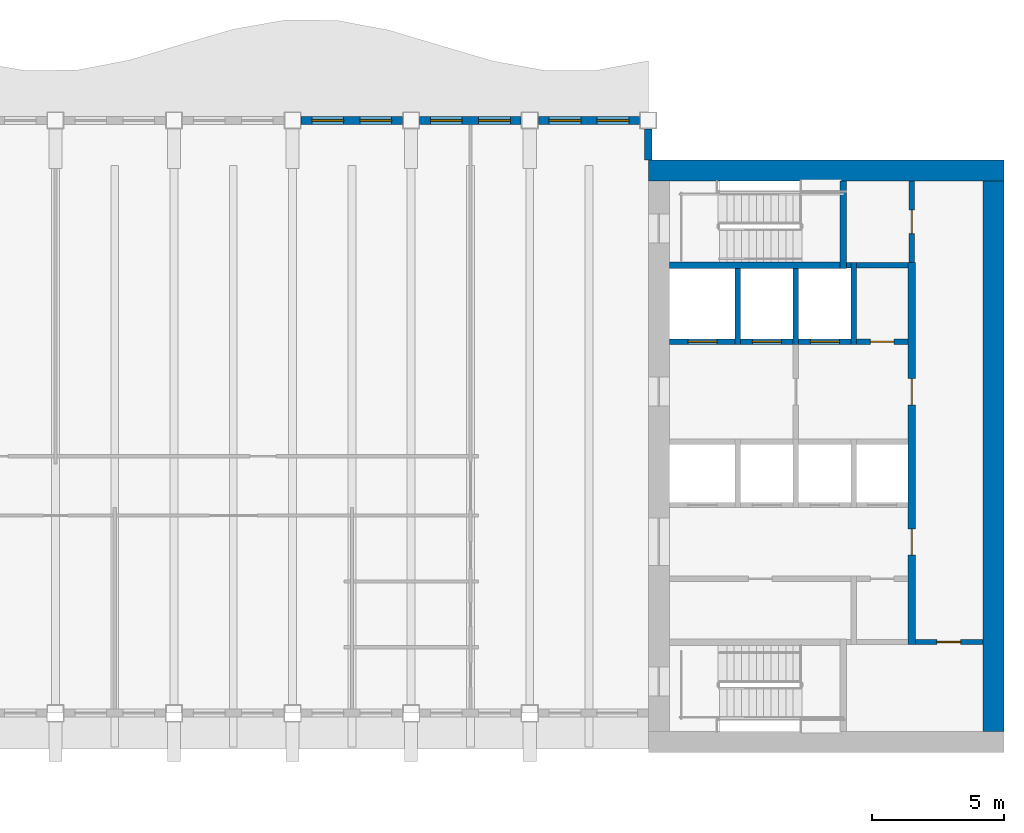
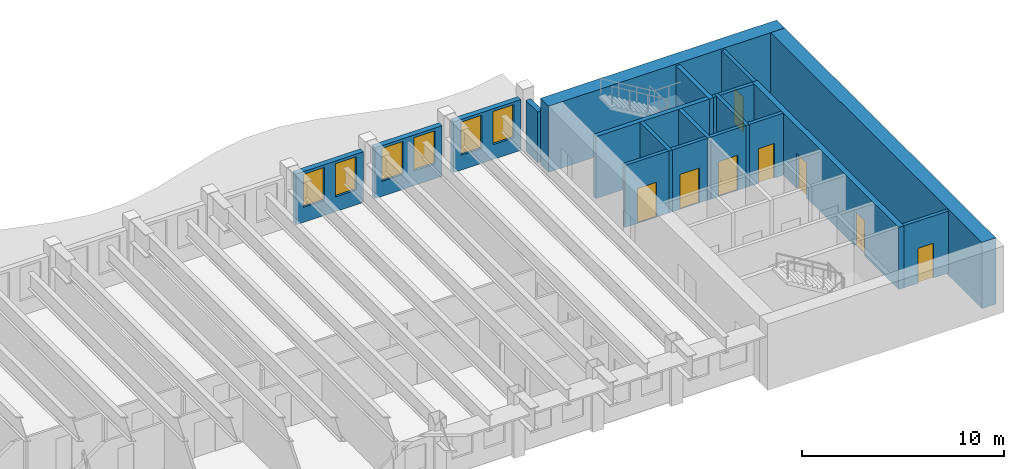
# One storey, part 6 of 12: 20 walls, 8 doors, 6 windows, 14 openings.
"""IFC4 building model written with IfcOpenShell, lengths in metres."""

from ifc_helpers import new_model, si_unit, direction, frame, frame_2d, origin, place, context, subcontext, project, spatial, rectangle, extrude, material, layer, layer_set, type_object, element, fill, save


model = new_model("IFC4")

# Units and contexts
model_context = context("Model", 3, precision=1e-05, world=origin(), true_north=direction((0.0, 1.0)))
body_context = subcontext(model_context, "Body", "Model", "MODEL_VIEW")
ifc_project = project(units=[si_unit("LENGTHUNIT", "METRE"), si_unit("AREAUNIT", "SQUARE_METRE"), si_unit("VOLUMEUNIT", "CUBIC_METRE"), si_unit("PLANEANGLEUNIT", "RADIAN"), si_unit("MASSUNIT", "GRAM", prefix="KILO")], contexts=[model_context])

# Site, building, storey
site_placement = place(None, origin())
site = spatial("IfcSite", under=ifc_project, at=site_placement, CompositionType="ELEMENT")
building_placement = place(site_placement, origin())
building = spatial("IfcBuilding", under=site, at=building_placement, Name="Sennacour Bend Tower", CompositionType="ELEMENT")
storey_placement = place(building_placement, frame((0.0, 0.0, 293.0)))
storey = spatial("IfcBuildingStorey", under=building, at=storey_placement, Name="L68", CompositionType="ELEMENT", Elevation=293.0)

# Walls
ifc_material_1 = material(Name="Concrete C50/60", Category="concrete")
ifc_layer_1 = layer(ifc_material_1, 0.800048828125, Name="Concrete C50/60", Category="concrete")
ifc_layer_set_1 = layer_set([ifc_layer_1], Name="Concrete C50/60")
wall_type_1 = type_object("IfcWallType", Name="Core wall 800 C50/60", PredefinedType="SHEAR", material=ifc_layer_set_1)
wall_1_placement = place(storey_placement, frame((54.0, 22.10009765625, -0.14990234375), z_axis=(0.0, 0.0, 1.0), x_axis=(1.0, 0.0, 0.0)))
element("IfcWall", 1, at=wall_1_placement, inside=storey, type_object=wall_type_1, Name="Core A wall L68 N", PredefinedType="SHEAR", context=body_context, shape_type="SweptSolid", body=[
    extrude(rectangle(XDim=13.5, YDim=0.800048828125, at=frame_2d((6.75, 0.0))), origin(), (0.0, 0.0, 1.0), 4.0),
])
wall_2_placement = place(storey_placement, frame((67.10009765625, 0.800048828125, -0.14990234375), z_axis=(0.0, 0.0, 1.0), x_axis=(0.0, 1.0, 0.0)))
element("IfcWall", 2, at=wall_2_placement, inside=storey, type_object=wall_type_1, Name="Core A wall L68 E", PredefinedType="SHEAR", context=body_context, shape_type="SweptSolid", body=[
    extrude(rectangle(XDim=20.89990234375, YDim=0.800048828125, at=frame_2d((10.449951171875, 0.0))), origin(), (0.0, 0.0, 1.0), 4.0),
])

# Wall, opening, door
ifc_material_2 = material(Name="Fire-rated plasterboard partition on steel studs", Category="steel")
ifc_layer_2 = layer(ifc_material_2, 0.199951171875, Name="Fire-rated plasterboard partition on steel studs", Category="steel")
ifc_layer_set_2 = layer_set([ifc_layer_2], Name="Fire-rated plasterboard partition on steel studs")
wall_type_2 = type_object("IfcWallType", Name="Rated partition 200", PredefinedType="PARTITIONING", material=ifc_layer_set_2)
wall_3_placement = place(storey_placement, frame((64.0, 18.60009765625, 0.0), z_axis=(0.0, 0.0, 1.0), x_axis=(0.0, 1.0, 0.0)))
wall_3 = element("IfcWall", 3, at=wall_3_placement, inside=storey, type_object=wall_type_2, Name="P-L68-W029", PredefinedType="PARTITIONING", context=body_context, shape_type="SweptSolid", body=[
    extrude(rectangle(XDim=3.099853515625, YDim=0.199951171875, at=frame_2d((1.5498046875, 0.0))), origin(), (0.0, 0.0, 1.0), 3.75),
])
opening_1_placement = place(wall_3_placement, frame((1.099853515625, 0.0, 0.0)))
opening_1 = element("IfcOpeningElement", 4, at=opening_1_placement, cuts=wall_3, Name="Opening SV", PredefinedType="OPENING", context=body_context, shape_type="SweptSolid", body=[
    extrude(rectangle(XDim=0.89990234375, YDim=2.10009765625, at=frame_2d((0.449951171875, 1.050048828125))), frame((0.0, 0.10986328125, 0.0), z_axis=(0.0, -1.0, 0.0), x_axis=(1.0, 0.0, 0.0)), (0.0, 0.0, 1.0), 0.219970703125),
])
ifc_material_3 = material(Name="Painted steel", Category="steel")
door_type_1 = type_object("IfcDoorType", Name="DR-SERVICE-900", OperationType="NOTDEFINED", PredefinedType="DOOR", material=ifc_material_3)
door_1_placement = place(opening_1_placement, origin())
door_1 = element("IfcDoor", 5, at=door_1_placement, inside=storey, type_object=door_type_1, Name="Door", OperationType="SINGLE_SWING_LEFT", OverallHeight=2.10009765625, OverallWidth=0.89990234375, PredefinedType="DOOR", context=body_context, shape_type="SweptSolid", body=[
    extrude(rectangle(XDim=0.89990234375, YDim=2.10009765625, at=frame_2d((0.449951171875, 1.050048828125))), frame((0.0, 0.02490234375, 0.0), z_axis=(0.0, -1.0, 0.0), x_axis=(1.0, 0.0, 0.0)), (0.0, 0.0, 1.0), 0.050048828125),
])
fill(opening_1, door_1)

wall_4_placement = place(storey_placement, frame((64.14990234375, 4.199951171875, 0.0), z_axis=(0.0, 0.0, 1.0), x_axis=(1.0, 0.0, 0.0)))
wall_4 = element("IfcWall", 6, at=wall_4_placement, inside=storey, type_object=wall_type_2, Name="P-L68-W038c", PredefinedType="PARTITIONING", context=body_context, shape_type="SweptSolid", body=[
    extrude(rectangle(XDim=2.550048828125, YDim=0.199951171875, at=frame_2d((1.27490234375, 0.0))), origin(), (0.0, 0.0, 1.0), 3.75),
])
opening_2_placement = place(wall_4_placement, frame((0.800048828125, 0.0, 0.0)))
opening_2 = element("IfcOpeningElement", 7, at=opening_2_placement, cuts=wall_4, Name="Opening SV", PredefinedType="OPENING", context=body_context, shape_type="SweptSolid", body=[
    extrude(rectangle(XDim=0.89990234375, YDim=2.10009765625, at=frame_2d((0.449951171875, 1.050048828125))), frame((0.0, 0.10986328125, 0.0), z_axis=(0.0, -1.0, 0.0), x_axis=(1.0, 0.0, 0.0)), (0.0, 0.0, 1.0), 0.219970703125),
])
door_2_placement = place(opening_2_placement, origin())
door_2 = element("IfcDoor", 8, at=door_2_placement, inside=storey, type_object=door_type_1, Name="Door", OperationType="SINGLE_SWING_LEFT", OverallHeight=2.10009765625, OverallWidth=0.89990234375, PredefinedType="DOOR", context=body_context, shape_type="SweptSolid", body=[
    extrude(rectangle(XDim=0.89990234375, YDim=2.10009765625, at=frame_2d((0.449951171875, 1.050048828125))), frame((0.0, 0.02490234375, 0.0), z_axis=(0.0, -1.0, 0.0), x_axis=(1.0, 0.0, 0.0)), (0.0, 0.0, 1.0), 0.050048828125),
])
fill(opening_2, door_2)

wall_5_placement = place(storey_placement, frame((61.89990234375, 15.60009765625, 0.0), z_axis=(0.0, 0.0, 1.0), x_axis=(1.0, 0.0, 0.0)))
wall_5 = element("IfcWall", 9, at=wall_5_placement, inside=storey, type_object=wall_type_2, Name="P-L68-W046", PredefinedType="PARTITIONING", context=body_context, shape_type="SweptSolid", body=[
    extrude(rectangle(XDim=1.9501953125, YDim=0.199951171875, at=frame_2d((0.97509765625, 0.0))), origin(), (0.0, 0.0, 1.0), 3.75),
])
opening_3_placement = place(wall_5_placement, frame((0.525146484375, 0.0, 0.0)))
opening_3 = element("IfcOpeningElement", 10, at=opening_3_placement, cuts=wall_5, Name="Opening SV", PredefinedType="OPENING", context=body_context, shape_type="SweptSolid", body=[
    extrude(rectangle(XDim=0.89990234375, YDim=2.10009765625, at=frame_2d((0.449951171875, 1.050048828125))), frame((0.0, 0.10986328125, 0.0), z_axis=(0.0, -1.0, 0.0), x_axis=(1.0, 0.0, 0.0)), (0.0, 0.0, 1.0), 0.219970703125),
])
door_3_placement = place(opening_3_placement, origin())
door_3 = element("IfcDoor", 11, at=door_3_placement, inside=storey, type_object=door_type_1, Name="Door", OperationType="SINGLE_SWING_LEFT", OverallHeight=2.10009765625, OverallWidth=0.89990234375, PredefinedType="DOOR", context=body_context, shape_type="SweptSolid", body=[
    extrude(rectangle(XDim=0.89990234375, YDim=2.10009765625, at=frame_2d((0.449951171875, 1.050048828125))), frame((0.0, 0.02490234375, 0.0), z_axis=(0.0, -1.0, 0.0), x_axis=(1.0, 0.0, 0.0)), (0.0, 0.0, 1.0), 0.050048828125),
])
fill(opening_3, door_3)

# Walls
wall_6_placement = place(storey_placement, frame((61.89990234375, 18.5, 0.0), z_axis=(0.0, 0.0, 1.0), x_axis=(1.0, 0.0, 0.0)))
element("IfcWall", 12, at=wall_6_placement, inside=storey, type_object=wall_type_2, Name="P-L68-W049", PredefinedType="PARTITIONING", context=body_context, shape_type="SweptSolid", body=[
    extrude(rectangle(XDim=1.9501953125, YDim=0.199951171875, at=frame_2d((0.97509765625, 0.0))), origin(), (0.0, 0.0, 1.0), 3.75),
])
ifc_material_4 = material(Name="Warm limestone cladding", Category="masonry")
ifc_layer_3 = layer(ifc_material_4, 0.050048828125, Name="Warm limestone cladding", Category="masonry")
ifc_material_5 = material(Name="Precast concrete C40/50", Category="concrete")
ifc_layer_4 = layer(ifc_material_5, 0.25, Name="Precast concrete C40/50", Category="concrete")
ifc_layer_set_3 = layer_set([ifc_layer_3, ifc_layer_4], Name="Precast concrete C40/50 with limestone cladding")
wall_type_3 = type_object("IfcWallType", Name="STONE-CLAD PRECAST SPANDREL 300", PredefinedType="STANDARD", material=ifc_layer_set_3)
wall_7_placement = place(storey_placement, frame((54.0, 22.5, 0.0), z_axis=(0.0, 0.0, 1.0), x_axis=(0.0, 1.0, 0.0)))
element("IfcWall", 13, at=wall_7_placement, inside=storey, type_object=wall_type_3, Name="Stone spandrel and pier wall L68 06.00", PredefinedType="STANDARD", context=body_context, shape_type="SweptSolid", body=[
    extrude(rectangle(XDim=1.175048828125, YDim=0.300048828125, at=frame_2d((0.58740234375, 0.0))), origin(), (0.0, 0.0, 1.0), 3.06201171875),
])

# Wall, openings, windows
wall_8_placement = place(storey_placement, frame((53.675048828125, 24.0, 0.0), z_axis=(0.0, 0.0, 1.0), x_axis=(-1.0, 0.0, 0.0)))
wall_8 = element("IfcWall", 14, at=wall_8_placement, inside=storey, type_object=wall_type_3, Name="Stone spandrel and pier wall L68 07.00", PredefinedType="STANDARD", context=body_context, shape_type="SweptSolid", body=[
    extrude(rectangle(XDim=3.85009765625, YDim=0.300048828125, at=frame_2d((1.925048828125, 0.0))), origin(), (0.0, 0.0, 1.0), 3.06201171875),
])
opening_4_placement = place(wall_8_placement, frame((0.41259765625, 0.0, 0.89990234375)))
opening_4 = element("IfcOpeningElement", 15, at=opening_4_placement, cuts=wall_8, Name="Opening W14", PredefinedType="OPENING", context=body_context, shape_type="SweptSolid", body=[
    extrude(rectangle(XDim=1.199951171875, YDim=2.0, at=frame_2d((0.60009765625, 1.0))), frame((0.0, 0.16015625, 0.0), z_axis=(0.0, -1.0, 0.0), x_axis=(1.0, 0.0, 0.0)), (0.0, 0.0, 1.0), 0.320068359375),
])
opening_5_placement = place(wall_8_placement, frame((2.237548828125, 0.0, 0.89990234375)))
opening_5 = element("IfcOpeningElement", 16, at=opening_5_placement, cuts=wall_8, Name="Opening W14", PredefinedType="OPENING", context=body_context, shape_type="SweptSolid", body=[
    extrude(rectangle(XDim=1.199951171875, YDim=2.0, at=frame_2d((0.60009765625, 1.0))), frame((0.0, 0.16015625, 0.0), z_axis=(0.0, -1.0, 0.0), x_axis=(1.0, 0.0, 0.0)), (0.0, 0.0, 1.0), 0.320068359375),
])
ifc_material_6 = material(Name="Clear low-emissivity glass", Category="glass")
window_type = type_object("IfcWindowType", Name="WIN-RIBBON-1200x2000", PartitioningType="SINGLE_PANEL", PredefinedType="WINDOW", material=ifc_material_6)
window_1_placement = place(opening_4_placement, origin())
window_1 = element("IfcWindow", 17, at=window_1_placement, inside=storey, type_object=window_type, Name="Ribbon window L68 07.00.0", OverallHeight=2.0, OverallWidth=1.199951171875, PartitioningType="SINGLE_PANEL", PredefinedType="WINDOW", context=body_context, shape_type="SweptSolid", body=[
    extrude(rectangle(XDim=1.199951171875, YDim=2.0, at=frame_2d((0.60009765625, 1.0))), frame((0.0, 0.030029296875, 0.0), z_axis=(0.0, -1.0, 0.0), x_axis=(1.0, 0.0, 0.0)), (0.0, 0.0, 1.0), 0.06005859375),
])
fill(opening_4, window_1)
window_2_placement = place(opening_5_placement, origin())
window_2 = element("IfcWindow", 18, at=window_2_placement, inside=storey, type_object=window_type, Name="Ribbon window L68 07.00.1", OverallHeight=2.0, OverallWidth=1.199951171875, PartitioningType="SINGLE_PANEL", PredefinedType="WINDOW", context=body_context, shape_type="SweptSolid", body=[
    extrude(rectangle(XDim=1.199951171875, YDim=2.0, at=frame_2d((0.60009765625, 1.0))), frame((0.0, 0.030029296875, 0.0), z_axis=(0.0, -1.0, 0.0), x_axis=(1.0, 0.0, 0.0)), (0.0, 0.0, 1.0), 0.06005859375),
])
fill(opening_5, window_2)

wall_9_placement = place(storey_placement, frame((49.175048828125, 24.0, 0.0), z_axis=(0.0, 0.0, 1.0), x_axis=(-1.0, 0.0, 0.0)))
wall_9 = element("IfcWall", 19, at=wall_9_placement, inside=storey, type_object=wall_type_3, Name="Stone spandrel and pier wall L68 07.01", PredefinedType="STANDARD", context=body_context, shape_type="SweptSolid", body=[
    extrude(rectangle(XDim=3.85009765625, YDim=0.300048828125, at=frame_2d((1.925048828125, 0.0))), origin(), (0.0, 0.0, 1.0), 3.06201171875),
])
opening_6_placement = place(wall_9_placement, frame((0.41259765625, 0.0, 0.89990234375)))
opening_6 = element("IfcOpeningElement", 20, at=opening_6_placement, cuts=wall_9, Name="Opening W14", PredefinedType="OPENING", context=body_context, shape_type="SweptSolid", body=[
    extrude(rectangle(XDim=1.199951171875, YDim=2.0, at=frame_2d((0.60009765625, 1.0))), frame((0.0, 0.16015625, 0.0), z_axis=(0.0, -1.0, 0.0), x_axis=(1.0, 0.0, 0.0)), (0.0, 0.0, 1.0), 0.320068359375),
])
opening_7_placement = place(wall_9_placement, frame((2.237548828125, 0.0, 0.89990234375)))
opening_7 = element("IfcOpeningElement", 21, at=opening_7_placement, cuts=wall_9, Name="Opening W14", PredefinedType="OPENING", context=body_context, shape_type="SweptSolid", body=[
    extrude(rectangle(XDim=1.199951171875, YDim=2.0, at=frame_2d((0.60009765625, 1.0))), frame((0.0, 0.16015625, 0.0), z_axis=(0.0, -1.0, 0.0), x_axis=(1.0, 0.0, 0.0)), (0.0, 0.0, 1.0), 0.320068359375),
])
window_3_placement = place(opening_6_placement, origin())
window_3 = element("IfcWindow", 22, at=window_3_placement, inside=storey, type_object=window_type, Name="Ribbon window L68 07.01.0", OverallHeight=2.0, OverallWidth=1.199951171875, PartitioningType="SINGLE_PANEL", PredefinedType="WINDOW", context=body_context, shape_type="SweptSolid", body=[
    extrude(rectangle(XDim=1.199951171875, YDim=2.0, at=frame_2d((0.60009765625, 1.0))), frame((0.0, 0.030029296875, 0.0), z_axis=(0.0, -1.0, 0.0), x_axis=(1.0, 0.0, 0.0)), (0.0, 0.0, 1.0), 0.06005859375),
])
fill(opening_6, window_3)
window_4_placement = place(opening_7_placement, origin())
window_4 = element("IfcWindow", 23, at=window_4_placement, inside=storey, type_object=window_type, Name="Ribbon window L68 07.01.1", OverallHeight=2.0, OverallWidth=1.199951171875, PartitioningType="SINGLE_PANEL", PredefinedType="WINDOW", context=body_context, shape_type="SweptSolid", body=[
    extrude(rectangle(XDim=1.199951171875, YDim=2.0, at=frame_2d((0.60009765625, 1.0))), frame((0.0, 0.030029296875, 0.0), z_axis=(0.0, -1.0, 0.0), x_axis=(1.0, 0.0, 0.0)), (0.0, 0.0, 1.0), 0.06005859375),
])
fill(opening_7, window_4)

wall_10_placement = place(storey_placement, frame((44.675048828125, 24.0, 0.0), z_axis=(0.0, 0.0, 1.0), x_axis=(-1.0, 0.0, 0.0)))
wall_10 = element("IfcWall", 24, at=wall_10_placement, inside=storey, type_object=wall_type_3, Name="Stone spandrel and pier wall L68 07.02", PredefinedType="STANDARD", context=body_context, shape_type="SweptSolid", body=[
    extrude(rectangle(XDim=3.85009765625, YDim=0.300048828125, at=frame_2d((1.925048828125, 0.0))), origin(), (0.0, 0.0, 1.0), 3.06201171875),
])
opening_8_placement = place(wall_10_placement, frame((0.41259765625, 0.0, 0.89990234375)))
opening_8 = element("IfcOpeningElement", 25, at=opening_8_placement, cuts=wall_10, Name="Opening W14", PredefinedType="OPENING", context=body_context, shape_type="SweptSolid", body=[
    extrude(rectangle(XDim=1.199951171875, YDim=2.0, at=frame_2d((0.60009765625, 1.0))), frame((0.0, 0.16015625, 0.0), z_axis=(0.0, -1.0, 0.0), x_axis=(1.0, 0.0, 0.0)), (0.0, 0.0, 1.0), 0.320068359375),
])
opening_9_placement = place(wall_10_placement, frame((2.237548828125, 0.0, 0.89990234375)))
opening_9 = element("IfcOpeningElement", 26, at=opening_9_placement, cuts=wall_10, Name="Opening W14", PredefinedType="OPENING", context=body_context, shape_type="SweptSolid", body=[
    extrude(rectangle(XDim=1.199951171875, YDim=2.0, at=frame_2d((0.60009765625, 1.0))), frame((0.0, 0.16015625, 0.0), z_axis=(0.0, -1.0, 0.0), x_axis=(1.0, 0.0, 0.0)), (0.0, 0.0, 1.0), 0.320068359375),
])
window_5_placement = place(opening_8_placement, origin())
window_5 = element("IfcWindow", 27, at=window_5_placement, inside=storey, type_object=window_type, Name="Ribbon window L68 07.02.0", OverallHeight=2.0, OverallWidth=1.199951171875, PartitioningType="SINGLE_PANEL", PredefinedType="WINDOW", context=body_context, shape_type="SweptSolid", body=[
    extrude(rectangle(XDim=1.199951171875, YDim=2.0, at=frame_2d((0.60009765625, 1.0))), frame((0.0, 0.030029296875, 0.0), z_axis=(0.0, -1.0, 0.0), x_axis=(1.0, 0.0, 0.0)), (0.0, 0.0, 1.0), 0.06005859375),
])
fill(opening_8, window_5)
window_6_placement = place(opening_9_placement, origin())
window_6 = element("IfcWindow", 28, at=window_6_placement, inside=storey, type_object=window_type, Name="Ribbon window L68 07.02.1", OverallHeight=2.0, OverallWidth=1.199951171875, PartitioningType="SINGLE_PANEL", PredefinedType="WINDOW", context=body_context, shape_type="SweptSolid", body=[
    extrude(rectangle(XDim=1.199951171875, YDim=2.0, at=frame_2d((0.60009765625, 1.0))), frame((0.0, 0.030029296875, 0.0), z_axis=(0.0, -1.0, 0.0), x_axis=(1.0, 0.0, 0.0)), (0.0, 0.0, 1.0), 0.06005859375),
])
fill(opening_9, window_6)

# Walls
ifc_layer_5 = layer(ifc_material_1, 0.199951171875, Name="Concrete C50/60", Category="concrete")
ifc_layer_set_4 = layer_set([ifc_layer_5], Name="Concrete C50/60")
wall_type_4 = type_object("IfcWallType", Name="Shaft wall 200", PredefinedType="SOLIDWALL", material=ifc_layer_set_4)
for number, where, z_axis, x_axis, name in (
    (29, (57.39990234375, 15.5, 0.0), (0.0, 0.0, 1.0), (0.0, 1.0, 0.0), "P-L68-W019"),
    (30, (59.60009765625, 15.5, 0.0), (0.0, 0.0, 1.0), (0.0, 1.0, 0.0), "P-L68-W022"),
):
    element("IfcWall", number, at=place(storey_placement, frame(where, z_axis=z_axis, x_axis=x_axis)), inside=storey, type_object=wall_type_4, Name=name, PredefinedType="SOLIDWALL", context=body_context, shape_type="SweptSolid", body=[
        extrude(rectangle(XDim=2.875, YDim=0.199951171875, at=frame_2d((1.4375, 0.0))), origin(), (0.0, 0.0, 1.0), 3.75),
    ])
wall_11_placement = place(storey_placement, frame((61.800048828125, 15.5, 0.0), z_axis=(0.0, 0.0, 1.0), x_axis=(0.0, 1.0, 0.0)))
element("IfcWall", 31, at=wall_11_placement, inside=storey, type_object=wall_type_4, Name="P-L68-W027", PredefinedType="SOLIDWALL", context=body_context, shape_type="SweptSolid", body=[
    extrude(rectangle(XDim=3.10009765625, YDim=0.199951171875, at=frame_2d((1.550048828125, 0.0))), origin(), (0.0, 0.0, 1.0), 3.75),
])

# Wall, opening, door
wall_12_placement = place(storey_placement, frame((54.800048828125, 15.60009765625, 0.0), z_axis=(0.0, 0.0, 1.0), x_axis=(1.0, 0.0, 0.0)))
wall_12 = element("IfcWall", 32, at=wall_12_placement, inside=storey, type_object=wall_type_4, Name="P-L68-W045a", PredefinedType="SOLIDWALL", context=body_context, shape_type="SweptSolid", body=[
    extrude(rectangle(XDim=2.5, YDim=0.199951171875, at=frame_2d((1.25, 0.0))), origin(), (0.0, 0.0, 1.0), 3.75),
])
opening_10_placement = place(wall_12_placement, frame((0.699951171875, 0.0, 0.011962890625)))
opening_10 = element("IfcOpeningElement", 33, at=opening_10_placement, cuts=wall_12, Name="Opening FLD", PredefinedType="OPENING", context=body_context, shape_type="SweptSolid", body=[
    extrude(rectangle(XDim=1.10009765625, YDim=2.10009765625, at=frame_2d((0.550048828125, 1.050048828125))), frame((0.0, 0.10986328125, 0.0), z_axis=(0.0, -1.0, 0.0), x_axis=(1.0, 0.0, 0.0)), (0.0, 0.0, 1.0), 0.219970703125),
])
ifc_material_7 = material(Name="Stainless steel", Category="steel")
door_type_2 = type_object("IfcDoorType", Name="DR-FF-LANDING-1100", OperationType="NOTDEFINED", PredefinedType="DOOR", material=ifc_material_7)
door_4_placement = place(opening_10_placement, origin())
door_4 = element("IfcDoor", 34, at=door_4_placement, inside=storey, type_object=door_type_2, Name="Fire service lift landing door FA1", OperationType="SLIDING_TO_LEFT", OverallHeight=2.10009765625, OverallWidth=1.10009765625, PredefinedType="DOOR", context=body_context, shape_type="SweptSolid", body=[
    extrude(rectangle(XDim=1.10009765625, YDim=2.10009765625, at=frame_2d((0.550048828125, 1.050048828125))), frame((0.0, 0.02490234375, 0.0), z_axis=(0.0, -1.0, 0.0), x_axis=(1.0, 0.0, 0.0)), (0.0, 0.0, 1.0), 0.050048828125),
])
fill(opening_10, door_4)

wall_13_placement = place(storey_placement, frame((57.5, 15.60009765625, 0.0), z_axis=(0.0, 0.0, 1.0), x_axis=(1.0, 0.0, 0.0)))
wall_13 = element("IfcWall", 35, at=wall_13_placement, inside=storey, type_object=wall_type_4, Name="P-L68-W045b", PredefinedType="SOLIDWALL", context=body_context, shape_type="SweptSolid", body=[
    extrude(rectangle(XDim=2.0, YDim=0.199951171875, at=frame_2d((1.0, 0.0))), origin(), (0.0, 0.0, 1.0), 3.75),
])
opening_11_placement = place(wall_13_placement, frame((0.449951171875, 0.0, 0.011962890625)))
opening_11 = element("IfcOpeningElement", 36, at=opening_11_placement, cuts=wall_13, Name="Opening FLD", PredefinedType="OPENING", context=body_context, shape_type="SweptSolid", body=[
    extrude(rectangle(XDim=1.10009765625, YDim=2.10009765625, at=frame_2d((0.550048828125, 1.050048828125))), frame((0.0, 0.10986328125, 0.0), z_axis=(0.0, -1.0, 0.0), x_axis=(1.0, 0.0, 0.0)), (0.0, 0.0, 1.0), 0.219970703125),
])
door_5_placement = place(opening_11_placement, origin())
door_5 = element("IfcDoor", 37, at=door_5_placement, inside=storey, type_object=door_type_2, Name="Fire service lift landing door FA2", OperationType="SLIDING_TO_RIGHT", OverallHeight=2.10009765625, OverallWidth=1.10009765625, PredefinedType="DOOR", context=body_context, shape_type="SweptSolid", body=[
    extrude(rectangle(XDim=1.10009765625, YDim=2.10009765625, at=frame_2d((0.550048828125, 1.050048828125))), frame((0.0, 0.02490234375, 0.0), z_axis=(0.0, -1.0, 0.0), x_axis=(1.0, 0.0, 0.0)), (0.0, 0.0, 1.0), 0.050048828125),
])
fill(opening_11, door_5)

wall_14_placement = place(storey_placement, frame((59.699951171875, 15.60009765625, 0.0), z_axis=(0.0, 0.0, 1.0), x_axis=(1.0, 0.0, 0.0)))
wall_14 = element("IfcWall", 38, at=wall_14_placement, inside=storey, type_object=wall_type_4, Name="P-L68-W045c", PredefinedType="SOLIDWALL", context=body_context, shape_type="SweptSolid", body=[
    extrude(rectangle(XDim=2.0, YDim=0.199951171875, at=frame_2d((1.0, 0.0))), origin(), (0.0, 0.0, 1.0), 3.75),
])
opening_12_placement = place(wall_14_placement, frame((0.449951171875, 0.0, 0.011962890625)))
opening_12 = element("IfcOpeningElement", 39, at=opening_12_placement, cuts=wall_14, Name="Opening LD", PredefinedType="OPENING", context=body_context, shape_type="SweptSolid", body=[
    extrude(rectangle(XDim=1.10009765625, YDim=2.10009765625, at=frame_2d((0.550048828125, 1.050048828125))), frame((0.0, 0.10986328125, 0.0), z_axis=(0.0, -1.0, 0.0), x_axis=(1.0, 0.0, 0.0)), (0.0, 0.0, 1.0), 0.219970703125),
])
door_type_3 = type_object("IfcDoorType", Name="DR-LANDING-1100", OperationType="NOTDEFINED", PredefinedType="DOOR", material=ifc_material_7)
door_6_placement = place(opening_12_placement, origin())
door_6 = element("IfcDoor", 40, at=door_6_placement, inside=storey, type_object=door_type_3, Name="Lift landing door HA5", OperationType="SLIDING_TO_LEFT", OverallHeight=2.10009765625, OverallWidth=1.10009765625, PredefinedType="DOOR", context=body_context, shape_type="SweptSolid", body=[
    extrude(rectangle(XDim=1.10009765625, YDim=2.10009765625, at=frame_2d((0.550048828125, 1.050048828125))), frame((0.0, 0.02490234375, 0.0), z_axis=(0.0, -1.0, 0.0), x_axis=(1.0, 0.0, 0.0)), (0.0, 0.0, 1.0), 0.050048828125),
])
fill(opening_12, door_6)

# Wall
wall_15_placement = place(storey_placement, frame((61.52490234375, 18.5, 0.0), z_axis=(0.0, 0.0, 1.0), x_axis=(1.0, 0.0, 0.0)))
element("IfcWall", 41, at=wall_15_placement, inside=storey, type_object=wall_type_4, Name="P-L68-W048", PredefinedType="SOLIDWALL", context=body_context, shape_type="SweptSolid", body=[
    extrude(rectangle(XDim=0.175048828125, YDim=0.199951171875, at=frame_2d((0.08740234375, 0.0))), origin(), (0.0, 0.0, 1.0), 3.75),
])

# Wall, openings, doors
ifc_material_8 = material(Name="Concrete C60/75", Category="concrete")
ifc_layer_6 = layer(ifc_material_8, 0.300048828125, Name="Concrete C60/75", Category="concrete")
ifc_layer_set_5 = layer_set([ifc_layer_6], Name="Concrete C60/75")
wall_type_5 = type_object("IfcWallType", Name="Spine wall 300", PredefinedType="SHEAR", material=ifc_layer_set_5)
wall_16_placement = place(storey_placement, frame((64.0, 4.10009765625, 0.0), z_axis=(0.0, 0.0, 1.0), x_axis=(0.0, 1.0, 0.0)))
wall_16 = element("IfcWall", 42, at=wall_16_placement, inside=storey, type_object=wall_type_5, Name="P-L68-W028", PredefinedType="SHEAR", context=body_context, shape_type="SweptSolid", body=[
    extrude(rectangle(XDim=14.5, YDim=0.300048828125, at=frame_2d((7.25, 0.0))), origin(), (0.0, 0.0, 1.0), 3.75),
])
opening_13_placement = place(wall_16_placement, frame((3.39990234375, 0.0, 0.0)))
opening_13 = element("IfcOpeningElement", 43, at=opening_13_placement, cuts=wall_16, Name="Opening CD2", PredefinedType="OPENING", context=body_context, shape_type="SweptSolid", body=[
    extrude(rectangle(XDim=1.0, YDim=2.10009765625, at=frame_2d((0.5, 1.050048828125))), frame((0.0, 0.16015625, 0.0), z_axis=(0.0, -1.0, 0.0), x_axis=(1.0, 0.0, 0.0)), (0.0, 0.0, 1.0), 0.320068359375),
])
opening_14_placement = place(wall_16_placement, frame((9.099853515625, 0.0, 0.0)))
opening_14 = element("IfcOpeningElement", 44, at=opening_14_placement, cuts=wall_16, Name="Opening CD2", PredefinedType="OPENING", context=body_context, shape_type="SweptSolid", body=[
    extrude(rectangle(XDim=1.0, YDim=2.10009765625, at=frame_2d((0.5, 1.050048828125))), frame((0.0, 0.16015625, 0.0), z_axis=(0.0, -1.0, 0.0), x_axis=(1.0, 0.0, 0.0)), (0.0, 0.0, 1.0), 0.320068359375),
])
door_type_4 = type_object("IfcDoorType", Name="DR-LOBBY-1000", OperationType="NOTDEFINED", PredefinedType="DOOR", material=ifc_material_3)
door_7_placement = place(opening_13_placement, origin())
door_7 = element("IfcDoor", 45, at=door_7_placement, inside=storey, type_object=door_type_4, Name="Door", OperationType="SINGLE_SWING_LEFT", OverallHeight=2.10009765625, OverallWidth=1.0, PredefinedType="DOOR", context=body_context, shape_type="SweptSolid", body=[
    extrude(rectangle(XDim=1.0, YDim=2.10009765625, at=frame_2d((0.5, 1.050048828125))), frame((0.0, 0.02490234375, 0.0), z_axis=(0.0, -1.0, 0.0), x_axis=(1.0, 0.0, 0.0)), (0.0, 0.0, 1.0), 0.050048828125),
])
fill(opening_13, door_7)
door_8_placement = place(opening_14_placement, origin())
door_8 = element("IfcDoor", 46, at=door_8_placement, inside=storey, type_object=door_type_4, Name="Door", OperationType="SINGLE_SWING_RIGHT", OverallHeight=2.10009765625, OverallWidth=1.0, PredefinedType="DOOR", context=body_context, shape_type="SweptSolid", body=[
    extrude(rectangle(XDim=1.0, YDim=2.10009765625, at=frame_2d((0.5, 1.050048828125))), frame((0.0, 0.02490234375, 0.0), z_axis=(0.0, -1.0, 0.0), x_axis=(1.0, 0.0, 0.0)), (0.0, 0.0, 1.0), 0.050048828125),
])
fill(opening_14, door_8)

# Walls
ifc_layer_7 = layer(ifc_material_8, 0.25, Name="Concrete C60/75", Category="concrete")
ifc_layer_set_6 = layer_set([ifc_layer_7], Name="Concrete C60/75")
wall_type_6 = type_object("IfcWallType", Name="Stair wall 250", PredefinedType="SHEAR", material=ifc_layer_set_6)
wall_17_placement = place(storey_placement, frame((61.39990234375, 18.375, 0.0), z_axis=(0.0, 0.0, 1.0), x_axis=(0.0, 1.0, 0.0)))
element("IfcWall", 47, at=wall_17_placement, inside=storey, type_object=wall_type_6, Name="P-L68-W024", PredefinedType="SHEAR", context=body_context, shape_type="SweptSolid", body=[
    extrude(rectangle(XDim=3.324951171875, YDim=0.25, at=frame_2d((1.66259765625, 0.0))), origin(), (0.0, 0.0, 1.0), 3.75),
])
wall_18_placement = place(storey_placement, frame((54.800048828125, 18.5, 0.0), z_axis=(0.0, 0.0, 1.0), x_axis=(1.0, 0.0, 0.0)))
element("IfcWall", 48, at=wall_18_placement, inside=storey, type_object=wall_type_6, Name="P-L68-W047", PredefinedType="SHEAR", context=body_context, shape_type="SweptSolid", body=[
    extrude(rectangle(XDim=6.474853515625, YDim=0.25, at=frame_2d((3.2373046875, 0.0))), origin(), (0.0, 0.0, 1.0), 3.75),
])

save(model, "model.ifc")
